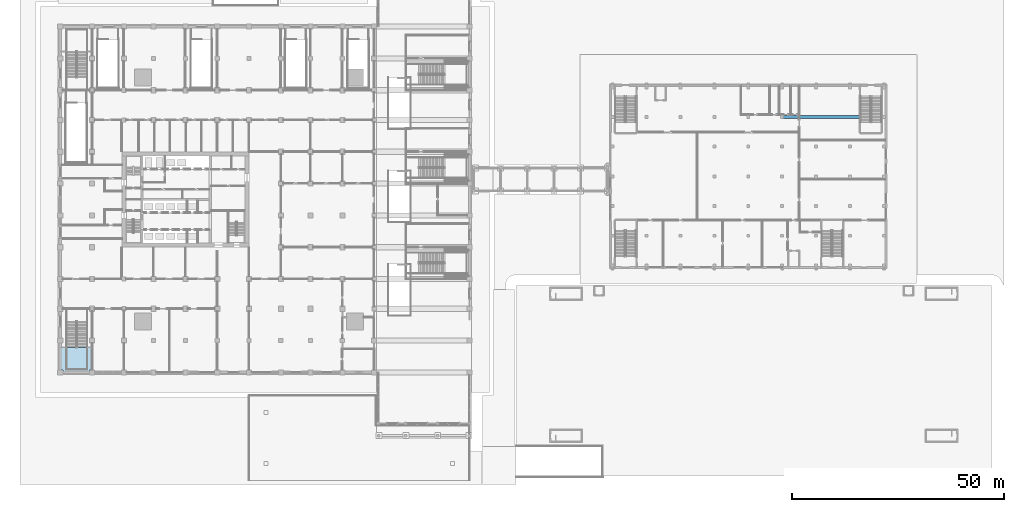
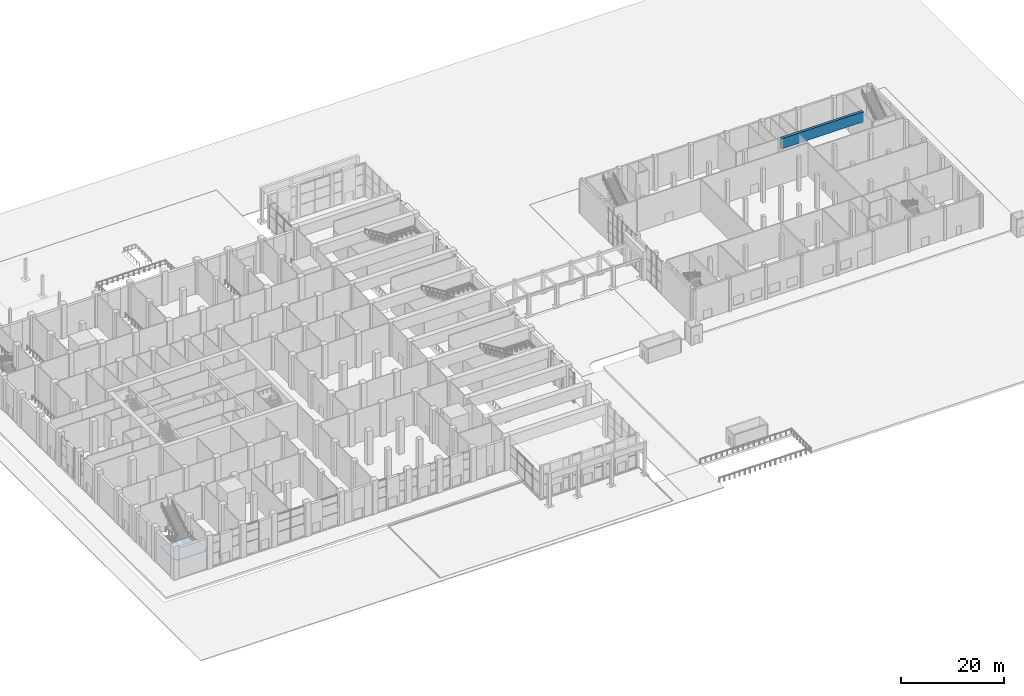
# One storey, part 17 of 57: 1 beam, 1 slab, 1 element without a shape of its own.
"""IFC4 building model written with IfcOpenShell, lengths in metres."""

from ifc_helpers import new_model, si_unit, direction, frame, origin, origin_2d, place, context, subcontext, project, spatial, polyline, rectangle, outline, extrude, material, layer, layer_set, material_profile, profile_set, type_object, element, aggregate, save


model = new_model("IFC4")

# Units and contexts
model_context = context("Model", 3, precision=1e-05, world=origin(), true_north=direction((0.0, 1.0)))
body_context = subcontext(model_context, "Body", "Model", "MODEL_VIEW")
ifc_project = project(units=[si_unit("LENGTHUNIT", "METRE"), si_unit("AREAUNIT", "SQUARE_METRE"), si_unit("VOLUMEUNIT", "CUBIC_METRE"), si_unit("PLANEANGLEUNIT", "RADIAN"), si_unit("MASSUNIT", "GRAM", prefix="KILO")], contexts=[model_context])

# Site, building, storey
site_placement = place(None, origin())
site = spatial("IfcSite", under=ifc_project, at=site_placement, CompositionType="ELEMENT")
building_placement = place(site_placement, origin())
building = spatial("IfcBuilding", under=site, at=building_placement, Name="Tamorin Gate", CompositionType="ELEMENT")
storey_placement = place(building_placement, origin())
storey = spatial("IfcBuildingStorey", under=building, at=storey_placement, Name="L00", CompositionType="ELEMENT", Elevation=0.0)

# Beam
ifc_material_1 = material(Name="Concrete C60/75", Category="concrete")
ifc_material_profile = material_profile(ifc_material_1, rectangle(XDim=0.60009765625, YDim=2.39990234375, at=origin_2d()))
ifc_profile_set = profile_set([ifc_material_profile], Name="Concrete C60/75")
beam_type = type_object("IfcBeamType", Name="RC long-span girder 600x2400 C60/75", PredefinedType="BEAM", material=ifc_profile_set)
beam_placement = place(storey_placement, frame((185.699951171875, 90.699951171875, 6.800048828125), z_axis=(1.0, 0.0, 0.0), x_axis=(0.0, 1.0, 0.0)))
element("IfcBeam", 1, at=beam_placement, inside=storey, type_object=beam_type, Name="Auditorium girder", PredefinedType="BEAM", context=body_context, shape_type="SweptSolid", body=[
    extrude(rectangle(XDim=0.60009765625, YDim=2.39990234375, at=origin_2d()), origin(), (0.0, 0.0, 1.0), 18.324951171875),
])

# Stair, slab
ifc_material_2 = material(Name="Reinforced concrete C32/40", Category="concrete")
stair_type = type_object("IfcStairType", Name="Podium stair PS", PredefinedType="HALF_TURN_STAIR", material=ifc_material_2)
stair_placement = place(storey_placement, origin())
stair = element("IfcStair", 2, at=stair_placement, inside=storey, type_object=stair_type, Name="L00 Podium stair PS1", PredefinedType="HALF_TURN_STAIR")
ifc_layer = layer(ifc_material_2, 0.199951171875)
ifc_layer_set = layer_set([ifc_layer], Name="Stair landing 200")
slab_type = type_object("IfcSlabType", Name="Stair landing 200", PredefinedType="LANDING", material=ifc_layer_set)
slab_placement = place(storey_placement, frame((0.0, 0.0, 3.800048828125)))
slab = element("IfcSlab", 3, at=slab_placement, type_object=slab_type, Name="PS1 landing 1", PredefinedType="LANDING", context=body_context, shape_type="SweptSolid", body=[
    extrude(outline(polyline([(22.89990234375, 36.340087890625), (22.89990234375, 31.10009765625), (22.39990234375, 31.10009765625), (22.39990234375, 30.64990234375), (16.10009765625, 30.64990234375), (16.10009765625, 31.10009765625), (15.64990234375, 31.10009765625), (15.64990234375, 36.340087890625), (22.89990234375, 36.340087890625)])), origin(), (0.0, 0.0, 1.0), 0.199951171875),
])
aggregate(stair, [slab])

save(model, "model.ifc")
